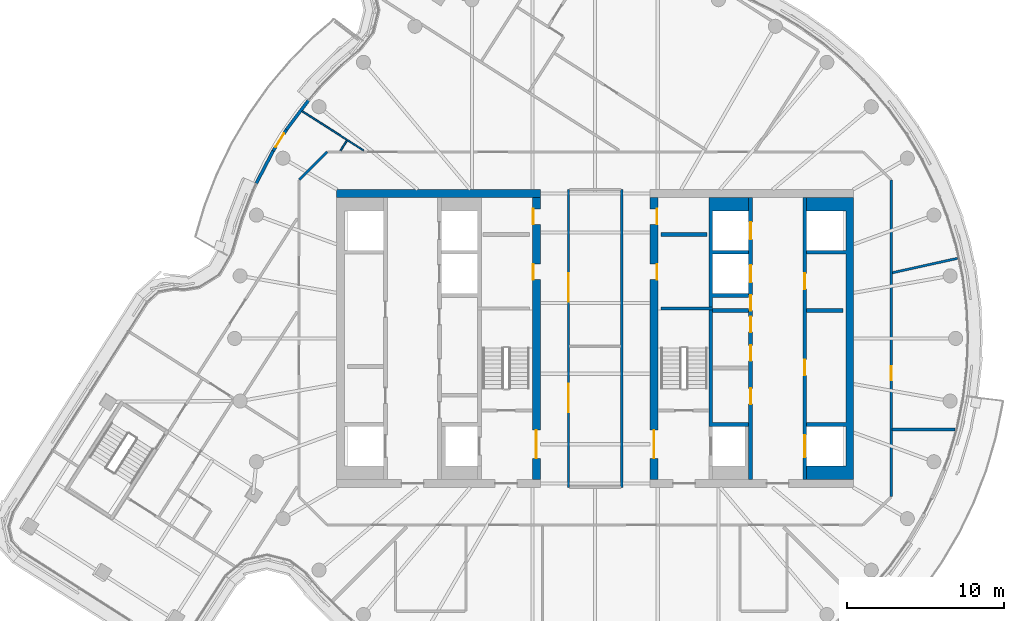
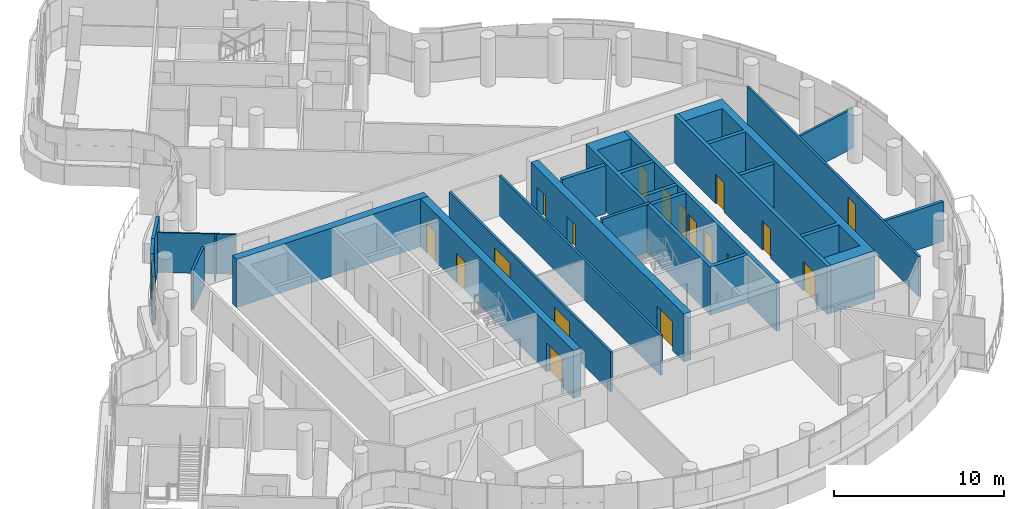
# One storey, part 19 of 27: 22 walls, 19 doors, 19 openings.
"""IFC4 building model written with IfcOpenShell, lengths in metres."""

import ifcopenshell
import ifcopenshell.guid

model = None  # the IFC model being written
_history = None  # IfcOwnerHistory: only IFC2X3 demands one
_inside = {}  # id of a spatial element -> (the spatial element, [elements in it])
_under = {}  # id of a project, library or spatial element -> (it, [spatial elements below it])
_declared = {}  # id of a project -> (the project, [libraries it declares])
_typed = {}  # id of a type object -> (the type object, [elements of that type])
_made_of = {}  # id of a material, layer set ... -> (it, [elements and type objects made of it])


def new_model(schema):
    """Start an empty IFC model of exactly this schema.

    Asked for "IFC4X3", IfcOpenShell would pick the latest addendum, in which some entities
    have other attributes; the version numbers below select the first issue.
    IFC2X3 requires an IfcOwnerHistory on every rooted entity: one is made here for all.
    """
    global model, _history
    if schema == "IFC4X3":
        model = ifcopenshell.file(schema_version=(4, 3, 0, 0))
    else:
        model = ifcopenshell.file(schema=schema)
    _inside.clear()
    _under.clear()
    _declared.clear()
    _typed.clear()
    _made_of.clear()
    _history = None
    if model.schema == "IFC2X3":
        org = make("IfcOrganization", Name="unknown")
        user = make(
            "IfcPersonAndOrganization",
            ThePerson=make("IfcPerson", FamilyName="unknown"),
            TheOrganization=org,
        )
        app = make(
            "IfcApplication",
            ApplicationDeveloper=org,
            Version="unknown",
            ApplicationFullName="unknown",
            ApplicationIdentifier="unknown",
        )
        _history = make(
            "IfcOwnerHistory",
            OwningUser=user,
            OwningApplication=app,
            ChangeAction="ADDED",
            CreationDate=0,
        )
    return model


def make(cls, **values):
    """One entity of the class cls with the attributes given. An attribute that is None is left unset."""
    return model.create_entity(
        cls, **{name: value for name, value in values.items() if value is not None}
    )


def rooted(cls, **values):
    """An entity with a GlobalId (a new one), such as an element, a storey or a relation."""
    return make(cls, GlobalId=ifcopenshell.guid.new(), OwnerHistory=_history, **values)


def si_unit(unit_type, name, prefix=None):
    """IfcSIUnit, for example si_unit("LENGTHUNIT", "METRE", prefix="MILLI")."""
    return make("IfcSIUnit", UnitType=unit_type, Prefix=prefix, Name=name)


def assignment(units):
    """IfcUnitAssignment: the units of a project."""
    return None if units is None else make("IfcUnitAssignment", Units=units)


def point(xyz):
    """IfcCartesianPoint."""
    return None if xyz is None else make("IfcCartesianPoint", Coordinates=xyz)


def direction(xyz):
    """IfcDirection."""
    return None if xyz is None else make("IfcDirection", DirectionRatios=xyz)


def frame(location, z_axis=None, x_axis=None):
    """IfcAxis2Placement3D, a coordinate frame: its origin and axes. An axis left out is left unset."""
    return make(
        "IfcAxis2Placement3D",
        Location=point(location),
        Axis=direction(z_axis),
        RefDirection=direction(x_axis),
    )


def frame_2d(location, x_axis=None):
    """IfcAxis2Placement2D, a coordinate frame in the plane: its origin and x axis."""
    return make(
        "IfcAxis2Placement2D", Location=point(location), RefDirection=direction(x_axis)
    )


def origin():
    """The frame at (0, 0, 0) with its axes left unset."""
    return frame((0.0, 0.0, 0.0))


def place(relative_to, where):
    """IfcLocalPlacement: puts the frame where relative to a parent placement (None: the world)."""
    return make(
        "IfcLocalPlacement", PlacementRelTo=relative_to, RelativePlacement=where
    )


def context(
    kind, dimensions, precision=None, world=None, true_north=None, identifier=None
):
    """IfcGeometricRepresentationContext, for example the 3D "Model" context."""
    return make(
        "IfcGeometricRepresentationContext",
        ContextIdentifier=identifier,
        ContextType=kind,
        CoordinateSpaceDimension=dimensions,
        Precision=precision,
        WorldCoordinateSystem=world,
        TrueNorth=true_north,
    )


def subcontext(parent, identifier, kind, view, scale=None):
    """IfcGeometricRepresentationSubContext, for example "Body" below "Model"."""
    return make(
        "IfcGeometricRepresentationSubContext",
        ContextIdentifier=identifier,
        ContextType=kind,
        ParentContext=parent,
        TargetScale=scale,
        TargetView=view,
    )


def project(units=None, contexts=None):
    """IfcProject with its units and contexts."""
    return rooted(
        "IfcProject",
        Name="project",
        RepresentationContexts=contexts,
        UnitsInContext=assignment(units),
    )


def spatial(cls, under=None, at=None, **own):
    """A site, building, storey or space (cls), placed at a placement, below another one or the project."""
    s = rooted(cls, ObjectPlacement=at, **own)
    if under is not None:
        _under.setdefault(under.id(), (under, []))[1].append(s)
    return s


def polyline(points):
    """IfcPolyline through the points."""
    return make("IfcPolyline", Points=[point(p) for p in points])


def profile(cls, at=None, kind="AREA", **sizes):
    """A parametric profile (cls). Its sizes go by their IFC names, for example OverallWidth=200.0."""
    return make(cls, ProfileType=kind, Position=at, **sizes)


def rectangle(**sizes):
    """IfcRectangleProfileDef."""
    return profile("IfcRectangleProfileDef", **sizes)


def outline(outer, holes=None, kind="AREA"):
    """IfcArbitraryClosedProfileDef: a profile drawn as a closed curve; with holes, ...WithVoids."""
    if holes is None:
        return make("IfcArbitraryClosedProfileDef", ProfileType=kind, OuterCurve=outer)
    return make(
        "IfcArbitraryProfileDefWithVoids",
        ProfileType=kind,
        OuterCurve=outer,
        InnerCurves=holes,
    )


def extrude(swept, where, along, depth):
    """IfcExtrudedAreaSolid: the profile swept, set in the frame where, extruded along a direction by depth."""
    return make(
        "IfcExtrudedAreaSolid",
        SweptArea=swept,
        Position=where,
        ExtrudedDirection=direction(along),
        Depth=depth,
    )


def shape(context_of_items, identifier, shape_type, items):
    """IfcShapeRepresentation: the items that make up one representation, for example the "Body"."""
    return make(
        "IfcShapeRepresentation",
        ContextOfItems=context_of_items,
        RepresentationIdentifier=identifier,
        RepresentationType=shape_type,
        Items=items,
    )


def material(Name=None, Category=None):
    """IfcMaterial."""
    return make("IfcMaterial", Name=Name, Category=Category)


def layer(
    of_material, thickness, ventilated=None, Name=None, Category=None, Priority=None
):
    """IfcMaterialLayer: one layer of a wall or slab, of a material (None: an air gap)."""
    return make(
        "IfcMaterialLayer",
        Material=of_material,
        LayerThickness=thickness,
        IsVentilated=ventilated,
        Name=Name,
        Category=Category,
        Priority=Priority,
    )


def layer_set(layers, Name=None):
    """IfcMaterialLayerSet."""
    return make("IfcMaterialLayerSet", MaterialLayers=layers, LayerSetName=Name)


def made_of(thing, what):
    """Note that an element or type object is made of a material, layer set ...; save() writes the relation."""
    if what is not None:
        _made_of.setdefault(what.id(), (what, []))[1].append(thing)
    return thing


def type_object(cls, material=None, **own):
    """A type object (cls), such as IfcWallType, which elements share."""
    return made_of(rooted(cls, **own), material)


def element(
    cls,
    number,
    at=None,
    inside=None,
    cuts=None,
    type_object=None,
    material=None,
    context=None,
    identifier="Body",
    shape_type=None,
    held_by="IfcProductDefinitionShape",
    body=None,
    shapes=None,
    **own,
):
    """One element of the class cls, such as IfcWall. Its Tag is "e" and its number.

    at: its placement. inside: the storey or other place that contains it. cuts: it is an
    opening in that element (IfcRelVoidsElement). A single representation is given by context,
    identifier, shape_type and body (its items); several are given by shapes. held_by: the class
    of the entity that holds the representations. save() writes the other relations.
    """
    e = rooted(cls, Tag="e%d" % number, ObjectPlacement=at, **own)
    if body is not None:
        shapes = [shape(context, identifier, shape_type, body)]
    if shapes is not None:
        e.Representation = make(held_by, Representations=shapes)
    if inside is not None:
        _inside.setdefault(inside.id(), (inside, []))[1].append(e)
    if cuts is not None:
        rooted(
            "IfcRelVoidsElement", RelatingBuildingElement=cuts, RelatedOpeningElement=e
        )
    if type_object is not None:
        _typed.setdefault(type_object.id(), (type_object, []))[1].append(e)
    return made_of(e, material)


def fill(opening, filler):
    """IfcRelFillsElement: the door or window that sits in an opening."""
    return rooted(
        "IfcRelFillsElement",
        RelatingOpeningElement=opening,
        RelatedBuildingElement=filler,
    )


def aggregate(whole, parts):
    """IfcRelAggregates: a whole, such as a stair, and the parts it consists of."""
    return rooted("IfcRelAggregates", RelatingObject=whole, RelatedObjects=parts)


def save(model, path):
    """Write the relations noted so far, then the file.

    IfcRelAggregates (storeys below a building ...), IfcRelContainedInSpatialStructure (elements
    in a storey), IfcRelDefinesByType, IfcRelAssociatesMaterial and IfcRelDeclares: one each for
    every whole, place, type object, material and project.
    """
    for whole, parts in _under.values():
        aggregate(whole, parts)
    for where, things in _inside.values():
        rooted(
            "IfcRelContainedInSpatialStructure",
            RelatedElements=things,
            RelatingStructure=where,
        )
    for kind, things in _typed.values():
        rooted("IfcRelDefinesByType", RelatedObjects=things, RelatingType=kind)
    for what, things in _made_of.values():
        rooted("IfcRelAssociatesMaterial", RelatedObjects=things, RelatingMaterial=what)
    for by, libraries in _declared.values():
        rooted("IfcRelDeclares", RelatingContext=by, RelatedDefinitions=libraries)
    model.write(path)


model = new_model("IFC4")

# Units and contexts
model_context = context("Model", 3, precision=1e-05, world=origin(), true_north=direction((0.0, 1.0)))
body_context = subcontext(model_context, "Body", "Model", "MODEL_VIEW")
ifc_project = project(units=[si_unit("LENGTHUNIT", "METRE"), si_unit("AREAUNIT", "SQUARE_METRE"), si_unit("VOLUMEUNIT", "CUBIC_METRE"), si_unit("PLANEANGLEUNIT", "RADIAN"), si_unit("MASSUNIT", "GRAM", prefix="KILO")], contexts=[model_context])

# Site, building, storey
site_placement = place(None, origin())
site = spatial("IfcSite", under=ifc_project, at=site_placement, CompositionType="ELEMENT")
building_placement = place(site_placement, origin())
building = spatial("IfcBuilding", under=site, at=building_placement, Name="Tamarind Cross Interchange Tower", CompositionType="ELEMENT")
storey_placement = place(building_placement, frame((0.0, 0.0, 241.5)))
storey = spatial("IfcBuildingStorey", under=building, at=storey_placement, Name="L61", CompositionType="ELEMENT", Elevation=241.5)

# Walls
ifc_material_1 = material(Name="Concrete C40", Category="concrete")
ifc_layer_1 = layer(ifc_material_1, 0.199951171875)
ifc_layer_set_1 = layer_set([ifc_layer_1], Name="Concrete C40")
wall_type_1 = type_object("IfcWallType", Name="Balcony and garden door wall", PredefinedType="SOLIDWALL", material=ifc_layer_set_1)
for number, where, z_axis, x_axis, name in (
    (1, (-18.291748046875, 15.18896484375, 0.0), (0.0, 0.0, 1.0), (-0.601920736141, -0.798555838626, 0.0), "EXW-L61-06-D02L"),
    (2, (-20.544921875, 11.966552734375, 0.0), (0.0, 0.0, 1.0), (-0.46211247756, -0.886821322524, 0.0), "EXW-L61-06-D02R"),
):
    element("IfcWall", number, at=place(storey_placement, frame(where, z_axis=z_axis, x_axis=x_axis)), inside=storey, type_object=wall_type_1, Name=name, PredefinedType="SOLIDWALL", context=body_context, shape_type="SweptSolid", body=[
        extrude(rectangle(XDim=2.336669921875, YDim=0.199951171875, at=frame_2d((1.16845703125, 0.0))), origin(), (0.0, 0.0, 1.0), 3.4599609375),
    ])

# Wall, opening, door
wall_1_placement = place(storey_placement, frame((-19.6982421875, 13.322998046875, 0.0), z_axis=(0.0, 0.0, 1.0), x_axis=(-0.529504774597, -0.848306957226, 0.0)))
wall_1 = element("IfcWall", 3, at=wall_1_placement, inside=storey, type_object=wall_type_1, Name="EXW-L61-06-D02", PredefinedType="SOLIDWALL", context=body_context, shape_type="SweptSolid", body=[
    extrude(rectangle(XDim=1.59912109375, YDim=0.199951171875, at=frame_2d((0.799560546875, 0.0))), origin(), (0.0, 0.0, 1.0), 3.4599609375),
])
opening_1_placement = place(wall_1_placement, frame((0.29931640625, 0.0, 0.0)))
opening_1 = element("IfcOpeningElement", 4, at=opening_1_placement, cuts=wall_1, Name="Opening D2", PredefinedType="OPENING", context=body_context, shape_type="SweptSolid", body=[
    extrude(rectangle(XDim=1.0, YDim=2.39990234375, at=frame_2d((0.5, 1.199951171875))), frame((0.0, 0.10986328125, 0.0), z_axis=(0.0, -1.0, 0.0), x_axis=(1.0, 0.0, 0.0)), (0.0, 0.0, 1.0), 0.219970703125),
])
ifc_material_2 = material(Name="Aluminium and toughened glass", Category="aluminium")
door_type_1 = type_object("IfcDoorType", Name="Balcony and garden door", OperationType="SINGLE_SWING_LEFT", PredefinedType="DOOR", material=ifc_material_2)
door_1_placement = place(opening_1_placement, origin())
door_1 = element("IfcDoor", 5, at=door_1_placement, inside=storey, type_object=door_type_1, Name="DOR-L61-06-02", OperationType="SINGLE_SWING_LEFT", OverallHeight=2.39990234375, OverallWidth=1.0, PredefinedType="DOOR", context=body_context, shape_type="SweptSolid", body=[
    extrude(rectangle(XDim=1.0, YDim=2.39990234375, at=frame_2d((0.5, 1.199951171875))), frame((0.0, 0.02490234375, 0.0), z_axis=(0.0, -1.0, 0.0), x_axis=(1.0, 0.0, 0.0)), (0.0, 0.0, 1.0), 0.050048828125),
])
fill(opening_1, door_1)

# Wall
ifc_material_3 = material(Name="Concrete C50", Category="concrete")
ifc_layer_2 = layer(ifc_material_3, 0.5)
ifc_layer_set_2 = layer_set([ifc_layer_2], Name="Concrete C50")
wall_type_2 = type_object("IfcWallType", Name="Core wall 500 mm Concrete C50", PredefinedType="SHEAR", material=ifc_layer_set_2)
wall_2_placement = place(storey_placement, frame((-16.5, 9.25, 0.0), z_axis=(0.0, 0.0, 1.0), x_axis=(1.0, 0.0, 0.0)))
element("IfcWall", 6, at=wall_2_placement, inside=storey, type_object=wall_type_2, Name="Core wall CWL-L61-W-NE", PredefinedType="SHEAR", context=body_context, shape_type="SweptSolid", body=[
    extrude(rectangle(XDim=13.0, YDim=0.5, at=frame_2d((6.5, 0.0))), origin(), (0.0, 0.0, 1.0), 3.4599609375),
])

# Wall, openings, doors
wall_3_placement = place(storey_placement, frame((-3.75, -9.0, 0.0), z_axis=(0.0, 0.0, 1.0), x_axis=(0.0, 1.0, 0.0)))
wall_3 = element("IfcWall", 7, at=wall_3_placement, inside=storey, type_object=wall_type_2, Name="Core wall CWL-L61-W-IN", PredefinedType="SHEAR", context=body_context, shape_type="SweptSolid", body=[
    extrude(rectangle(XDim=18.0, YDim=0.5, at=frame_2d((9.0, 0.0))), origin(), (0.0, 0.0, 1.0), 3.4599609375),
])
opening_2_placement = place(wall_3_placement, frame((1.35009765625, 0.0, 0.0)))
opening_2 = element("IfcOpeningElement", 8, at=opening_2_placement, cuts=wall_3, Name="Opening DCW4", PredefinedType="OPENING", context=body_context, shape_type="SweptSolid", body=[
    extrude(rectangle(XDim=1.800048828125, YDim=2.10009765625, at=frame_2d((0.89990234375, 1.050048828125))), frame((0.0, 0.260009765625, 0.0), z_axis=(0.0, -1.0, 0.0), x_axis=(1.0, 0.0, 0.0)), (0.0, 0.0, 1.0), 0.52001953125),
])
opening_3_placement = place(wall_3_placement, frame((12.74951171875, 0.0, 0.0)))
opening_3 = element("IfcOpeningElement", 9, at=opening_3_placement, cuts=wall_3, Name="Opening DCW5", PredefinedType="OPENING", context=body_context, shape_type="SweptSolid", body=[
    extrude(rectangle(XDim=1.0, YDim=2.10009765625, at=frame_2d((0.5, 1.050048828125))), frame((0.0, 0.260009765625, 0.0), z_axis=(0.0, -1.0, 0.0), x_axis=(1.0, 0.0, 0.0)), (0.0, 0.0, 1.0), 0.52001953125),
])
opening_4_placement = place(wall_3_placement, frame((16.2744140625, 0.0, 0.0)))
opening_4 = element("IfcOpeningElement", 10, at=opening_4_placement, cuts=wall_3, Name="Opening DCW5", PredefinedType="OPENING", context=body_context, shape_type="SweptSolid", body=[
    extrude(rectangle(XDim=1.0, YDim=2.10009765625, at=frame_2d((0.5, 1.050048828125))), frame((0.0, 0.260009765625, 0.0), z_axis=(0.0, -1.0, 0.0), x_axis=(1.0, 0.0, 0.0)), (0.0, 0.0, 1.0), 0.52001953125),
])
ifc_material_4 = material(Name="Steel, fire-resisting", Category="steel")
door_type_2 = type_object("IfcDoorType", Name="Core fire door 1000 x 2100 FD90", OperationType="SINGLE_SWING_LEFT", PredefinedType="DOOR", material=ifc_material_4)
door_2_placement = place(opening_3_placement, origin())
door_2 = element("IfcDoor", 11, at=door_2_placement, inside=storey, type_object=door_type_2, Name="L61 riser room door", OperationType="SINGLE_SWING_LEFT", OverallHeight=2.10009765625, OverallWidth=1.0, PredefinedType="DOOR", context=body_context, shape_type="SweptSolid", body=[
    extrude(rectangle(XDim=1.0, YDim=2.10009765625, at=frame_2d((0.5, 1.050048828125))), frame((0.0, 0.22509765625, 0.0), z_axis=(0.0, -1.0, 0.0), x_axis=(1.0, 0.0, 0.0)), (0.0, 0.0, 1.0), 0.050048828125),
])
fill(opening_3, door_2)
door_3_placement = place(opening_4_placement, origin())
door_3 = element("IfcDoor", 12, at=door_3_placement, inside=storey, type_object=door_type_2, Name="L61 linen press door", OperationType="SINGLE_SWING_LEFT", OverallHeight=2.10009765625, OverallWidth=1.0, PredefinedType="DOOR", context=body_context, shape_type="SweptSolid", body=[
    extrude(rectangle(XDim=1.0, YDim=2.10009765625, at=frame_2d((0.5, 1.050048828125))), frame((0.0, 0.22509765625, 0.0), z_axis=(0.0, -1.0, 0.0), x_axis=(1.0, 0.0, 0.0)), (0.0, 0.0, 1.0), 0.050048828125),
])
fill(opening_4, door_3)
door_type_3 = type_object("IfcDoorType", Name="Core fire door 1800 x 2100 FD90", OperationType="SINGLE_SWING_LEFT", PredefinedType="DOOR", material=ifc_material_4)
door_4_placement = place(opening_2_placement, origin())
door_4 = element("IfcDoor", 13, at=door_4_placement, inside=storey, type_object=door_type_3, Name="L61 firefighting lobby door", OperationType="SINGLE_SWING_LEFT", OverallHeight=2.10009765625, OverallWidth=1.800048828125, PredefinedType="DOOR", context=body_context, shape_type="SweptSolid", body=[
    extrude(rectangle(XDim=1.800048828125, YDim=2.10009765625, at=frame_2d((0.89990234375, 1.050048828125))), frame((0.0, 0.02490234375, 0.0), z_axis=(0.0, -1.0, 0.0), x_axis=(1.0, 0.0, 0.0)), (0.0, 0.0, 1.0), 0.050048828125),
])
fill(opening_2, door_4)

# Wall
wall_4_placement = place(storey_placement, origin())
element("IfcWall", 14, at=wall_4_placement, inside=storey, type_object=wall_type_2, Name="Core wall CWL-L61-E-A", PredefinedType="SHEAR", context=body_context, shape_type="SweptSolid", body=[
    extrude(outline(polyline([(13.5, -8.125), (13.5, -9.0), (16.0, -9.0), (16.5, -9.0), (16.5, 9.0), (16.0, 9.0), (13.5, 9.0), (13.5, 8.125), (16.0, 8.125), (16.0, 5.625), (13.5, 5.625), (13.5, 5.375), (16.0, 5.375), (16.0, -5.375), (13.5, -5.375), (13.5, -5.625), (16.0, -5.625), (16.0, -8.125), (13.5, -8.125)])), origin(), (0.0, 0.0, 1.0), 3.4599609375),
])

# Wall, openings, doors
wall_5_placement = place(storey_placement, frame((3.75, -9.0, 0.0), z_axis=(0.0, 0.0, 1.0), x_axis=(0.0, 1.0, 0.0)))
wall_5 = element("IfcWall", 15, at=wall_5_placement, inside=storey, type_object=wall_type_2, Name="Core wall CWL-L61-E-IN", PredefinedType="SHEAR", context=body_context, shape_type="SweptSolid", body=[
    extrude(rectangle(XDim=18.0, YDim=0.5, at=frame_2d((9.0, 0.0))), origin(), (0.0, 0.0, 1.0), 3.4599609375),
])
opening_5_placement = place(wall_5_placement, frame((1.35009765625, 0.0, 0.0)))
opening_5 = element("IfcOpeningElement", 16, at=opening_5_placement, cuts=wall_5, Name="Opening DCE4", PredefinedType="OPENING", context=body_context, shape_type="SweptSolid", body=[
    extrude(rectangle(XDim=1.800048828125, YDim=2.10009765625, at=frame_2d((0.89990234375, 1.050048828125))), frame((0.0, 0.260009765625, 0.0), z_axis=(0.0, -1.0, 0.0), x_axis=(1.0, 0.0, 0.0)), (0.0, 0.0, 1.0), 0.52001953125),
])
opening_6_placement = place(wall_5_placement, frame((12.74951171875, 0.0, 0.0)))
opening_6 = element("IfcOpeningElement", 17, at=opening_6_placement, cuts=wall_5, Name="Opening DCE5", PredefinedType="OPENING", context=body_context, shape_type="SweptSolid", body=[
    extrude(rectangle(XDim=1.0, YDim=2.10009765625, at=frame_2d((0.5, 1.050048828125))), frame((0.0, 0.260009765625, 0.0), z_axis=(0.0, -1.0, 0.0), x_axis=(1.0, 0.0, 0.0)), (0.0, 0.0, 1.0), 0.52001953125),
])
opening_7_placement = place(wall_5_placement, frame((16.2744140625, 0.0, 0.0)))
opening_7 = element("IfcOpeningElement", 18, at=opening_7_placement, cuts=wall_5, Name="Opening DCE5", PredefinedType="OPENING", context=body_context, shape_type="SweptSolid", body=[
    extrude(rectangle(XDim=1.0, YDim=2.10009765625, at=frame_2d((0.5, 1.050048828125))), frame((0.0, 0.260009765625, 0.0), z_axis=(0.0, -1.0, 0.0), x_axis=(1.0, 0.0, 0.0)), (0.0, 0.0, 1.0), 0.52001953125),
])
door_5_placement = place(opening_6_placement, origin())
door_5 = element("IfcDoor", 19, at=door_5_placement, inside=storey, type_object=door_type_2, Name="L61 riser room door", OperationType="SINGLE_SWING_LEFT", OverallHeight=2.10009765625, OverallWidth=1.0, PredefinedType="DOOR", context=body_context, shape_type="SweptSolid", body=[
    extrude(rectangle(XDim=1.0, YDim=2.10009765625, at=frame_2d((0.5, 1.050048828125))), frame((0.0, -0.1748046875, 0.0), z_axis=(0.0, -1.0, 0.0), x_axis=(1.0, 0.0, 0.0)), (0.0, 0.0, 1.0), 0.050048828125),
])
fill(opening_6, door_5)
door_6_placement = place(opening_7_placement, origin())
door_6 = element("IfcDoor", 20, at=door_6_placement, inside=storey, type_object=door_type_2, Name="L61 linen press door", OperationType="SINGLE_SWING_LEFT", OverallHeight=2.10009765625, OverallWidth=1.0, PredefinedType="DOOR", context=body_context, shape_type="SweptSolid", body=[
    extrude(rectangle(XDim=1.0, YDim=2.10009765625, at=frame_2d((0.5, 1.050048828125))), frame((0.0, -0.1748046875, 0.0), z_axis=(0.0, -1.0, 0.0), x_axis=(1.0, 0.0, 0.0)), (0.0, 0.0, 1.0), 0.050048828125),
])
fill(opening_7, door_6)
door_7_placement = place(opening_5_placement, origin())
door_7 = element("IfcDoor", 21, at=door_7_placement, inside=storey, type_object=door_type_3, Name="L61 firefighting lobby door", OperationType="SINGLE_SWING_LEFT", OverallHeight=2.10009765625, OverallWidth=1.800048828125, PredefinedType="DOOR", context=body_context, shape_type="SweptSolid", body=[
    extrude(rectangle(XDim=1.800048828125, YDim=2.10009765625, at=frame_2d((0.89990234375, 1.050048828125))), frame((0.0, 0.02490234375, 0.0), z_axis=(0.0, -1.0, 0.0), x_axis=(1.0, 0.0, 0.0)), (0.0, 0.0, 1.0), 0.050048828125),
])
fill(opening_5, door_7)

# Walls
ifc_layer_3 = layer(ifc_material_3, 0.199951171875)
ifc_layer_set_3 = layer_set([ifc_layer_3], Name="Concrete C50")
wall_type_3 = type_object("IfcWallType", Name="Core web wall 200 mm Concrete C50", PredefinedType="SHEAR", material=ifc_layer_set_3)
wall_6_placement = place(storey_placement, frame((7.5, 1.89990234375, 0.0), z_axis=(0.0, 0.0, 1.0), x_axis=(-1.0, 0.0, 0.0)))
element("IfcWall", 22, at=wall_6_placement, inside=storey, type_object=wall_type_3, Name="Core wall CWL-L61-E-BD", PredefinedType="SHEAR", context=body_context, shape_type="SweptSolid", body=[
    extrude(rectangle(XDim=3.300048828125, YDim=0.199951171875, at=frame_2d((1.64990234375, 0.0))), origin(), (0.0, 0.0, 1.0), 3.4599609375),
])
ifc_layer_4 = layer(ifc_material_3, 0.25)
ifc_layer_set_4 = layer_set([ifc_layer_4], Name="Concrete C50")
wall_type_4 = type_object("IfcWallType", Name="Core web wall 250 mm Concrete C50", PredefinedType="SHEAR", material=ifc_layer_set_4)
wall_7_placement = place(storey_placement, origin())
element("IfcWall", 23, at=wall_7_placement, inside=storey, type_object=wall_type_4, Name="Core wall CWL-L61-E-BN", PredefinedType="SHEAR", context=body_context, shape_type="SweptSolid", body=[
    extrude(outline(polyline([(9.800048828125, -5.375), (7.5, -5.375), (7.5, 2.625), (9.800048828125, 2.625), (9.800048828125, 2.875), (7.5, 2.875), (7.5, 5.375), (9.800048828125, 5.375), (9.800048828125, 5.625), (7.5, 5.625), (7.5, 8.125), (9.800048828125, 8.125), (9.800048828125, 9.0), (7.5, 9.0), (7.25, 9.0), (7.25, -5.625), (7.5, -5.625), (9.800048828125, -5.625), (9.800048828125, -5.375)])), origin(), (0.0, 0.0, 1.0), 3.4599609375),
])

# Wall, openings, doors
wall_8_placement = place(storey_placement, frame((13.375, -9.0, 0.0), z_axis=(0.0, 0.0, 1.0), x_axis=(0.0, 1.0, 0.0)))
wall_8 = element("IfcWall", 24, at=wall_8_placement, inside=storey, type_object=wall_type_4, Name="Core wall CWL-L61-E-LA", PredefinedType="SHEAR", context=body_context, shape_type="SweptSolid", body=[
    extrude(rectangle(XDim=18.0, YDim=0.25, at=frame_2d((9.0, 0.0))), origin(), (0.0, 0.0, 1.0), 3.4599609375),
])
opening_8_placement = place(wall_8_placement, frame((1.425048828125, 0.0, 0.0)))
opening_8 = element("IfcOpeningElement", 25, at=opening_8_placement, cuts=wall_8, Name="Opening LD13L61", PredefinedType="OPENING", context=body_context, shape_type="SweptSolid", body=[
    extrude(rectangle(XDim=1.39990234375, YDim=2.10009765625, at=frame_2d((0.699951171875, 1.050048828125))), frame((0.0, 0.135009765625, 0.0), z_axis=(0.0, -1.0, 0.0), x_axis=(1.0, 0.0, 0.0)), (0.0, 0.0, 1.0), 0.27001953125),
])
opening_9_placement = place(wall_8_placement, frame((6.64599609375, 0.0, 0.0)))
opening_9 = element("IfcOpeningElement", 26, at=opening_9_placement, cuts=wall_8, Name="Opening DCE9", PredefinedType="OPENING", context=body_context, shape_type="SweptSolid", body=[
    extrude(rectangle(XDim=1.0, YDim=2.10009765625, at=frame_2d((0.5, 1.050048828125))), frame((0.0, 0.135009765625, 0.0), z_axis=(0.0, -1.0, 0.0), x_axis=(1.0, 0.0, 0.0)), (0.0, 0.0, 1.0), 0.27001953125),
])
opening_10_placement = place(wall_8_placement, frame((12.14599609375, 0.0, 0.0)))
opening_10 = element("IfcOpeningElement", 27, at=opening_10_placement, cuts=wall_8, Name="Opening DCE10", PredefinedType="OPENING", context=body_context, shape_type="SweptSolid", body=[
    extrude(rectangle(XDim=1.0, YDim=2.10009765625, at=frame_2d((0.5, 1.050048828125))), frame((0.0, 0.135009765625, 0.0), z_axis=(0.0, -1.0, 0.0), x_axis=(1.0, 0.0, 0.0)), (0.0, 0.0, 1.0), 0.27001953125),
])
door_8_placement = place(opening_9_placement, origin())
door_8 = element("IfcDoor", 28, at=door_8_placement, inside=storey, type_object=door_type_2, Name="L61 Ice and vending room door", OperationType="SINGLE_SWING_LEFT", OverallHeight=2.10009765625, OverallWidth=1.0, PredefinedType="DOOR", context=body_context, shape_type="SweptSolid", body=[
    extrude(rectangle(XDim=1.0, YDim=2.10009765625, at=frame_2d((0.5, 1.050048828125))), frame((0.0, 0.02490234375, 0.0), z_axis=(0.0, -1.0, 0.0), x_axis=(1.0, 0.0, 0.0)), (0.0, 0.0, 1.0), 0.050048828125),
])
fill(opening_9, door_8)
door_9_placement = place(opening_10_placement, origin())
door_9 = element("IfcDoor", 29, at=door_9_placement, inside=storey, type_object=door_type_2, Name="L61 Guest laundry door", OperationType="SINGLE_SWING_LEFT", OverallHeight=2.10009765625, OverallWidth=1.0, PredefinedType="DOOR", context=body_context, shape_type="SweptSolid", body=[
    extrude(rectangle(XDim=1.0, YDim=2.10009765625, at=frame_2d((0.5, 1.050048828125))), frame((0.0, 0.02490234375, 0.0), z_axis=(0.0, -1.0, 0.0), x_axis=(1.0, 0.0, 0.0)), (0.0, 0.0, 1.0), 0.050048828125),
])
fill(opening_10, door_9)
ifc_material_5 = material(Name="Stainless steel panel", Category="steel")
door_type_4 = type_object("IfcDoorType", Name="Lift landing door 1400 x 2100 E 120", OperationType="SLIDING_TO_LEFT", PredefinedType="DOOR", material=ifc_material_5)
door_10_placement = place(opening_8_placement, origin())
door_10 = element("IfcDoor", 30, at=door_10_placement, inside=storey, type_object=door_type_4, Name="L61 landing door LF13", OperationType="SLIDING_TO_LEFT", OverallHeight=2.10009765625, OverallWidth=1.39990234375, PredefinedType="DOOR", context=body_context, shape_type="SweptSolid", body=[
    extrude(rectangle(XDim=1.39990234375, YDim=2.10009765625, at=frame_2d((0.699951171875, 1.050048828125))), frame((0.0, 0.02490234375, 0.0), z_axis=(0.0, -1.0, 0.0), x_axis=(1.0, 0.0, 0.0)), (0.0, 0.0, 1.0), 0.050048828125),
])
fill(opening_8, door_10)

wall_9_placement = place(storey_placement, frame((9.925048828125, -9.0, 0.0), z_axis=(0.0, 0.0, 1.0), x_axis=(0.0, 1.0, 0.0)))
wall_9 = element("IfcWall", 31, at=wall_9_placement, inside=storey, type_object=wall_type_4, Name="Core wall CWL-L61-E-LB", PredefinedType="SHEAR", context=body_context, shape_type="SweptSolid", body=[
    extrude(rectangle(XDim=18.0, YDim=0.25, at=frame_2d((9.0, 0.0))), origin(), (0.0, 0.0, 1.0), 3.4599609375),
])
opening_11_placement = place(wall_9_placement, frame((12.574951171875, 0.0, 0.0)))
opening_11 = element("IfcOpeningElement", 32, at=opening_11_placement, cuts=wall_9, Name="Opening LD23L61", PredefinedType="OPENING", context=body_context, shape_type="SweptSolid", body=[
    extrude(rectangle(XDim=1.10009765625, YDim=2.10009765625, at=frame_2d((0.550048828125, 1.050048828125))), frame((0.0, 0.135009765625, 0.0), z_axis=(0.0, -1.0, 0.0), x_axis=(1.0, 0.0, 0.0)), (0.0, 0.0, 1.0), 0.27001953125),
])
opening_12_placement = place(wall_9_placement, frame((15.324951171875, 0.0, 0.0)))
opening_12 = element("IfcOpeningElement", 33, at=opening_12_placement, cuts=wall_9, Name="Opening LD24L61", PredefinedType="OPENING", context=body_context, shape_type="SweptSolid", body=[
    extrude(rectangle(XDim=1.10009765625, YDim=2.10009765625, at=frame_2d((0.550048828125, 1.050048828125))), frame((0.0, 0.135009765625, 0.0), z_axis=(0.0, -1.0, 0.0), x_axis=(1.0, 0.0, 0.0)), (0.0, 0.0, 1.0), 0.27001953125),
])
opening_13_placement = place(wall_9_placement, frame((4.8125, 0.0, 0.0)))
opening_13 = element("IfcOpeningElement", 34, at=opening_13_placement, cuts=wall_9, Name="Opening DCE21", PredefinedType="OPENING", context=body_context, shape_type="SweptSolid", body=[
    extrude(rectangle(XDim=1.0, YDim=2.10009765625, at=frame_2d((0.5, 1.050048828125))), frame((0.0, 0.135009765625, 0.0), z_axis=(0.0, -1.0, 0.0), x_axis=(1.0, 0.0, 0.0)), (0.0, 0.0, 1.0), 0.27001953125),
])
opening_14_placement = place(wall_9_placement, frame((7.5625, 0.0, 0.0)))
opening_14 = element("IfcOpeningElement", 35, at=opening_14_placement, cuts=wall_9, Name="Opening DCE22", PredefinedType="OPENING", context=body_context, shape_type="SweptSolid", body=[
    extrude(rectangle(XDim=1.0, YDim=2.10009765625, at=frame_2d((0.5, 1.050048828125))), frame((0.0, 0.135009765625, 0.0), z_axis=(0.0, -1.0, 0.0), x_axis=(1.0, 0.0, 0.0)), (0.0, 0.0, 1.0), 0.27001953125),
])
opening_15_placement = place(wall_9_placement, frame((9.39599609375, 0.0, 0.0)))
opening_15 = element("IfcOpeningElement", 36, at=opening_15_placement, cuts=wall_9, Name="Opening DCE21", PredefinedType="OPENING", context=body_context, shape_type="SweptSolid", body=[
    extrude(rectangle(XDim=1.0, YDim=2.10009765625, at=frame_2d((0.5, 1.050048828125))), frame((0.0, 0.135009765625, 0.0), z_axis=(0.0, -1.0, 0.0), x_axis=(1.0, 0.0, 0.0)), (0.0, 0.0, 1.0), 0.27001953125),
])
opening_16_placement = place(wall_9_placement, frame((10.77099609375, 0.0, 0.0)))
opening_16 = element("IfcOpeningElement", 37, at=opening_16_placement, cuts=wall_9, Name="Opening DCE22", PredefinedType="OPENING", context=body_context, shape_type="SweptSolid", body=[
    extrude(rectangle(XDim=1.0, YDim=2.10009765625, at=frame_2d((0.5, 1.050048828125))), frame((0.0, 0.135009765625, 0.0), z_axis=(0.0, -1.0, 0.0), x_axis=(1.0, 0.0, 0.0)), (0.0, 0.0, 1.0), 0.27001953125),
])
door_11_placement = place(opening_13_placement, origin())
door_11 = element("IfcDoor", 38, at=door_11_placement, inside=storey, type_object=door_type_2, Name="L61 Staff changing room door", OperationType="SINGLE_SWING_LEFT", OverallHeight=2.10009765625, OverallWidth=1.0, PredefinedType="DOOR", context=body_context, shape_type="SweptSolid", body=[
    extrude(rectangle(XDim=1.0, YDim=2.10009765625, at=frame_2d((0.5, 1.050048828125))), frame((0.0, 0.02490234375, 0.0), z_axis=(0.0, -1.0, 0.0), x_axis=(1.0, 0.0, 0.0)), (0.0, 0.0, 1.0), 0.050048828125),
])
fill(opening_13, door_11)
door_12_placement = place(opening_14_placement, origin())
door_12 = element("IfcDoor", 39, at=door_12_placement, inside=storey, type_object=door_type_2, Name="L61 Ice and vending room door", OperationType="SINGLE_SWING_LEFT", OverallHeight=2.10009765625, OverallWidth=1.0, PredefinedType="DOOR", context=body_context, shape_type="SweptSolid", body=[
    extrude(rectangle(XDim=1.0, YDim=2.10009765625, at=frame_2d((0.5, 1.050048828125))), frame((0.0, 0.02490234375, 0.0), z_axis=(0.0, -1.0, 0.0), x_axis=(1.0, 0.0, 0.0)), (0.0, 0.0, 1.0), 0.050048828125),
])
fill(opening_14, door_12)
door_13_placement = place(opening_15_placement, origin())
door_13 = element("IfcDoor", 40, at=door_13_placement, inside=storey, type_object=door_type_2, Name="L61 Staff changing room door", OperationType="SINGLE_SWING_LEFT", OverallHeight=2.10009765625, OverallWidth=1.0, PredefinedType="DOOR", context=body_context, shape_type="SweptSolid", body=[
    extrude(rectangle(XDim=1.0, YDim=2.10009765625, at=frame_2d((0.5, 1.050048828125))), frame((0.0, 0.02490234375, 0.0), z_axis=(0.0, -1.0, 0.0), x_axis=(1.0, 0.0, 0.0)), (0.0, 0.0, 1.0), 0.050048828125),
])
fill(opening_15, door_13)
door_14_placement = place(opening_16_placement, origin())
door_14 = element("IfcDoor", 41, at=door_14_placement, inside=storey, type_object=door_type_2, Name="L61 Ice and vending room door", OperationType="SINGLE_SWING_LEFT", OverallHeight=2.10009765625, OverallWidth=1.0, PredefinedType="DOOR", context=body_context, shape_type="SweptSolid", body=[
    extrude(rectangle(XDim=1.0, YDim=2.10009765625, at=frame_2d((0.5, 1.050048828125))), frame((0.0, 0.02490234375, 0.0), z_axis=(0.0, -1.0, 0.0), x_axis=(1.0, 0.0, 0.0)), (0.0, 0.0, 1.0), 0.050048828125),
])
fill(opening_16, door_14)
door_type_5 = type_object("IfcDoorType", Name="Lift landing door 1100 x 2100 E 120", OperationType="SLIDING_TO_LEFT", PredefinedType="DOOR", material=ifc_material_5)
door_15_placement = place(opening_11_placement, origin())
door_15 = element("IfcDoor", 42, at=door_15_placement, inside=storey, type_object=door_type_5, Name="L61 landing door LF23", OperationType="SLIDING_TO_LEFT", OverallHeight=2.10009765625, OverallWidth=1.10009765625, PredefinedType="DOOR", context=body_context, shape_type="SweptSolid", body=[
    extrude(rectangle(XDim=1.10009765625, YDim=2.10009765625, at=frame_2d((0.550048828125, 1.050048828125))), frame((0.0, 0.02490234375, 0.0), z_axis=(0.0, -1.0, 0.0), x_axis=(1.0, 0.0, 0.0)), (0.0, 0.0, 1.0), 0.050048828125),
])
fill(opening_11, door_15)
door_16_placement = place(opening_12_placement, origin())
door_16 = element("IfcDoor", 43, at=door_16_placement, inside=storey, type_object=door_type_5, Name="L61 landing door LF24", OperationType="SLIDING_TO_LEFT", OverallHeight=2.10009765625, OverallWidth=1.10009765625, PredefinedType="DOOR", context=body_context, shape_type="SweptSolid", body=[
    extrude(rectangle(XDim=1.10009765625, YDim=2.10009765625, at=frame_2d((0.550048828125, 1.050048828125))), frame((0.0, 0.02490234375, 0.0), z_axis=(0.0, -1.0, 0.0), x_axis=(1.0, 0.0, 0.0)), (0.0, 0.0, 1.0), 0.050048828125),
])
fill(opening_12, door_16)

# Walls
ifc_material_6 = material(Name="Gypsum board partition on steel studs", Category="steel")
ifc_layer_5 = layer(ifc_material_6, 0.10009765625)
ifc_layer_set_5 = layer_set([ifc_layer_5], Name="Gypsum board partition on steel studs")
wall_type_5 = type_object("IfcWallType", Name="Partition 100 mm EI 120", PredefinedType="PARTITIONING", material=ifc_layer_set_5)
wall_10_placement = place(storey_placement, frame((-18.724365234375, 14.5166015625, 0.0), z_axis=(0.0, 0.0, 1.0), x_axis=(0.843037970222, -0.537854051546, 0.0)))
element("IfcWall", 44, at=wall_10_placement, inside=storey, type_object=wall_type_5, Name="Partition L61-009", PredefinedType="PARTITIONING", context=body_context, shape_type="SweptSolid", body=[
    extrude(rectangle(XDim=4.679931640625, YDim=0.10009765625, at=frame_2d((2.33984375, 0.0))), origin(), (0.0, 0.0, 1.0), 2.864013671875),
])
ifc_layer_6 = layer(ifc_material_6, 0.10009765625)
ifc_layer_set_6 = layer_set([ifc_layer_6], Name="Gypsum board partition on steel studs")
wall_type_6 = type_object("IfcWallType", Name="Partition 100 mm EI 90", PredefinedType="PARTITIONING", material=ifc_layer_set_6)
wall_11_placement = place(storey_placement, frame((-16.252197265625, 11.984130859375, 0.0), z_axis=(0.0, 0.0, 1.0), x_axis=(0.537879071862, 0.843022006861, 0.0)))
element("IfcWall", 45, at=wall_11_placement, inside=storey, type_object=wall_type_6, Name="Partition L61-040", PredefinedType="PARTITIONING", context=body_context, shape_type="SweptSolid", body=[
    extrude(rectangle(XDim=0.75537109375, YDim=0.10009765625, at=frame_2d((0.377685546875, 0.0))), origin(), (0.0, 0.0, 1.0), 2.864013671875),
])
ifc_layer_7 = layer(ifc_material_6, 0.14990234375)
ifc_layer_set_7 = layer_set([ifc_layer_7], Name="Gypsum board partition on steel studs")
wall_type_7 = type_object("IfcWallType", Name="Partition 150 mm EI 120", PredefinedType="PARTITIONING", material=ifc_layer_set_7)
wall_12_placement = place(storey_placement, frame((18.97314453125, 4.194091796875, 0.0), z_axis=(0.0, 0.0, 1.0), x_axis=(0.976439523163, 0.215791236162, 0.0)))
element("IfcWall", 46, at=wall_12_placement, inside=storey, type_object=wall_type_7, Name="Partition L61-032", PredefinedType="PARTITIONING", context=body_context, shape_type="SweptSolid", body=[
    extrude(rectangle(XDim=4.243896484375, YDim=0.14990234375, at=frame_2d((2.1220703125, 0.0))), origin(), (0.0, 0.0, 1.0), 2.864013671875),
])
wall_13_placement = place(storey_placement, frame((-18.87158203125, 10.12841796875, 0.0), z_axis=(0.0, 0.0, 1.0), x_axis=(0.707106781187, 0.707106781187, 0.0)))
element("IfcWall", 47, at=wall_13_placement, inside=storey, type_object=wall_type_7, Name="Partition L61-033", PredefinedType="PARTITIONING", context=body_context, shape_type="SweptSolid", body=[
    extrude(rectangle(XDim=2.50537109375, YDim=0.14990234375, at=frame_2d((1.252685546875, 0.0))), origin(), (0.0, 0.0, 1.0), 2.864013671875),
])

# Wall, openings, doors
wall_14_placement = place(storey_placement, frame((-1.699951171875, -9.5, 0.0), z_axis=(0.0, 0.0, 1.0), x_axis=(0.0, 1.0, 0.0)))
wall_14 = element("IfcWall", 48, at=wall_14_placement, inside=storey, type_object=wall_type_7, Name="Partition L61-057", PredefinedType="PARTITIONING", context=body_context, shape_type="SweptSolid", body=[
    extrude(rectangle(XDim=19.0, YDim=0.14990234375, at=frame_2d((9.5, 0.0))), origin(), (0.0, 0.0, 1.0), 2.864013671875),
])
opening_17_placement = place(wall_14_placement, frame((4.800048828125, 0.0, 0.0)))
opening_17 = element("IfcOpeningElement", 49, at=opening_17_placement, cuts=wall_14, Name="Opening D28", PredefinedType="OPENING", context=body_context, shape_type="SweptSolid", body=[
    extrude(rectangle(XDim=1.800048828125, YDim=2.10009765625, at=frame_2d((0.89990234375, 1.050048828125))), frame((0.0, 0.0849609375, 0.0), z_axis=(0.0, -1.0, 0.0), x_axis=(1.0, 0.0, 0.0)), (0.0, 0.0, 1.0), 0.169921875),
])
opening_18_placement = place(wall_14_placement, frame((11.85009765625, 0.0, 0.0)))
opening_18 = element("IfcOpeningElement", 50, at=opening_18_placement, cuts=wall_14, Name="Opening D29", PredefinedType="OPENING", context=body_context, shape_type="SweptSolid", body=[
    extrude(rectangle(XDim=1.800048828125, YDim=2.10009765625, at=frame_2d((0.89990234375, 1.050048828125))), frame((0.0, 0.0849609375, 0.0), z_axis=(0.0, -1.0, 0.0), x_axis=(1.0, 0.0, 0.0)), (0.0, 0.0, 1.0), 0.169921875),
])
ifc_material_7 = material(Name="Fire-resisting door set")
door_type_6 = type_object("IfcDoorType", Name="Interior door 1800 x 2100 FD60S", OperationType="DOUBLE_DOOR_SINGLE_SWING", PredefinedType="DOOR", material=ifc_material_7)
door_17_placement = place(opening_17_placement, frame((1.800048828125, 0.0, 0.0), z_axis=(0.0, 0.0, 1.0), x_axis=(-1.0, 0.0, 0.0)))
door_17 = element("IfcDoor", 51, at=door_17_placement, inside=storey, type_object=door_type_6, Name="Door D28", OperationType="DOUBLE_DOOR_SINGLE_SWING", OverallHeight=2.10009765625, OverallWidth=1.800048828125, PredefinedType="DOOR", context=body_context, shape_type="SweptSolid", body=[
    extrude(rectangle(XDim=1.800048828125, YDim=2.10009765625, at=frame_2d((0.89990234375, 1.050048828125))), frame((0.0, 0.02490234375, 0.0), z_axis=(0.0, -1.0, 0.0), x_axis=(1.0, 0.0, 0.0)), (0.0, 0.0, 1.0), 0.050048828125),
])
fill(opening_17, door_17)
door_18_placement = place(opening_18_placement, frame((1.800048828125, 0.0, 0.0), z_axis=(0.0, 0.0, 1.0), x_axis=(-1.0, 0.0, 0.0)))
door_18 = element("IfcDoor", 52, at=door_18_placement, inside=storey, type_object=door_type_6, Name="Door D29", OperationType="DOUBLE_DOOR_SINGLE_SWING", OverallHeight=2.10009765625, OverallWidth=1.800048828125, PredefinedType="DOOR", context=body_context, shape_type="SweptSolid", body=[
    extrude(rectangle(XDim=1.800048828125, YDim=2.10009765625, at=frame_2d((0.89990234375, 1.050048828125))), frame((0.0, 0.02490234375, 0.0), z_axis=(0.0, -1.0, 0.0), x_axis=(1.0, 0.0, 0.0)), (0.0, 0.0, 1.0), 0.050048828125),
])
fill(opening_18, door_18)

# Wall
wall_15_placement = place(storey_placement, frame((1.699951171875, -9.5, 0.0), z_axis=(0.0, 0.0, 1.0), x_axis=(0.0, 1.0, 0.0)))
element("IfcWall", 53, at=wall_15_placement, inside=storey, type_object=wall_type_7, Name="Partition L61-058", PredefinedType="PARTITIONING", context=body_context, shape_type="SweptSolid", body=[
    extrude(rectangle(XDim=19.0, YDim=0.14990234375, at=frame_2d((9.5, 0.0))), origin(), (0.0, 0.0, 1.0), 2.864013671875),
])

# Wall, opening, door
wall_16_placement = place(storey_placement, frame((18.89990234375, -10.10009765625, 0.0), z_axis=(0.0, 0.0, 1.0), x_axis=(0.0, 1.0, 0.0)))
wall_16 = element("IfcWall", 54, at=wall_16_placement, inside=storey, type_object=wall_type_7, Name="Partition L61-061", PredefinedType="PARTITIONING", context=body_context, shape_type="SweptSolid", body=[
    extrude(rectangle(XDim=20.2001953125, YDim=0.14990234375, at=frame_2d((10.10009765625, 0.0))), origin(), (0.0, 0.0, 1.0), 2.864013671875),
])
opening_19_placement = place(wall_16_placement, frame((7.43408203125, 0.0, 0.0)))
opening_19 = element("IfcOpeningElement", 55, at=opening_19_placement, cuts=wall_16, Name="Opening D30", PredefinedType="OPENING", context=body_context, shape_type="SweptSolid", body=[
    extrude(rectangle(XDim=0.89990234375, YDim=2.10009765625, at=frame_2d((0.449951171875, 1.050048828125))), frame((0.0, 0.0849609375, 0.0), z_axis=(0.0, -1.0, 0.0), x_axis=(1.0, 0.0, 0.0)), (0.0, 0.0, 1.0), 0.169921875),
])
door_type_7 = type_object("IfcDoorType", Name="Interior door 900 x 2100 FD60S", OperationType="SINGLE_SWING_LEFT", PredefinedType="DOOR", material=ifc_material_7)
door_19_placement = place(opening_19_placement, frame((0.89990234375, 0.0, 0.0), z_axis=(0.0, 0.0, 1.0), x_axis=(-1.0, 0.0, 0.0)))
door_19 = element("IfcDoor", 56, at=door_19_placement, inside=storey, type_object=door_type_7, Name="Door D30", OperationType="SINGLE_SWING_LEFT", OverallHeight=2.10009765625, OverallWidth=0.89990234375, PredefinedType="DOOR", context=body_context, shape_type="SweptSolid", body=[
    extrude(rectangle(XDim=0.89990234375, YDim=2.10009765625, at=frame_2d((0.449951171875, 1.050048828125))), frame((0.0, 0.02490234375, 0.0), z_axis=(0.0, -1.0, 0.0), x_axis=(1.0, 0.0, 0.0)), (0.0, 0.0, 1.0), 0.050048828125),
])
fill(opening_19, door_19)

# Walls
ifc_layer_8 = layer(ifc_material_6, 0.199951171875)
ifc_layer_set_8 = layer_set([ifc_layer_8], Name="Gypsum board partition on steel studs")
wall_type_8 = type_object("IfcWallType", Name="Partition 200 mm EI 180", PredefinedType="PARTITIONING", material=ifc_layer_set_8)
wall_17_placement = place(storey_placement, frame((18.955078125, -5.81591796875, 0.0), z_axis=(0.0, 0.0, 1.0), x_axis=(1.0, 0.0, 0.0)))
element("IfcWall", 57, at=wall_17_placement, inside=storey, type_object=wall_type_8, Name="Partition L61-031", PredefinedType="PARTITIONING", context=body_context, shape_type="SweptSolid", body=[
    extrude(rectangle(XDim=4.0107421875, YDim=0.199951171875, at=frame_2d((2.00537109375, 0.0))), origin(), (0.0, 0.0, 1.0), 2.864013671875),
])
ifc_layer_9 = layer(ifc_material_1, 0.25)
ifc_layer_set_9 = layer_set([ifc_layer_9], Name="Concrete C40")
wall_type_9 = type_object("IfcWallType", Name="Shaft and lobby wall 250 mm Concrete C40", PredefinedType="PARTITIONING", material=ifc_layer_set_9)
wall_18_placement = place(storey_placement, frame((7.14990234375, 6.6240234375, 0.0), z_axis=(0.0, 0.0, 1.0), x_axis=(-1.0, 0.0, 0.0)))
element("IfcWall", 58, at=wall_18_placement, inside=storey, type_object=wall_type_9, Name="Shaft wall CWL-L61-E-SVP", PredefinedType="PARTITIONING", context=body_context, shape_type="SweptSolid", body=[
    extrude(rectangle(XDim=2.949951171875, YDim=0.25, at=frame_2d((1.47509765625, 0.0))), origin(), (0.0, 0.0, 1.0), 3.4599609375),
])
for number, where, z_axis, x_axis, name in (
    (59, (15.800048828125, 1.7919921875, 0.0), (0.0, 0.0, 1.0), (-1.0, 0.0, 0.0), "Shaft wall CWL-L61-E-FPA1"),
    (60, (9.800048828125, 1.7919921875, 0.0), (0.0, 0.0, 1.0), (-1.0, 0.0, 0.0), "Shaft wall CWL-L61-E-FPB3"),
):
    element("IfcWall", number, at=place(storey_placement, frame(where, z_axis=z_axis, x_axis=x_axis)), inside=storey, type_object=wall_type_9, Name=name, PredefinedType="PARTITIONING", context=body_context, shape_type="SweptSolid", body=[
        extrude(rectangle(XDim=2.300048828125, YDim=0.25, at=frame_2d((1.14990234375, 0.0))), origin(), (0.0, 0.0, 1.0), 3.4599609375),
    ])

save(model, "model.ifc")
